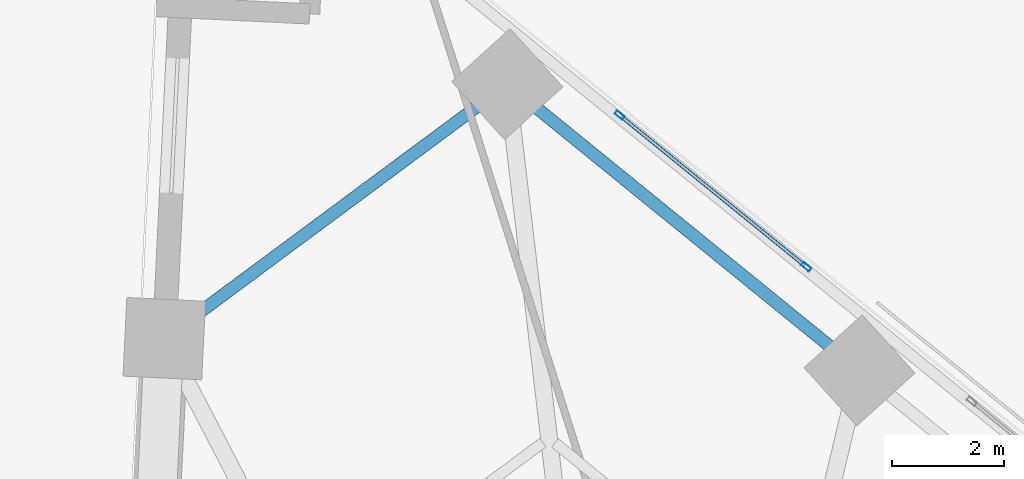
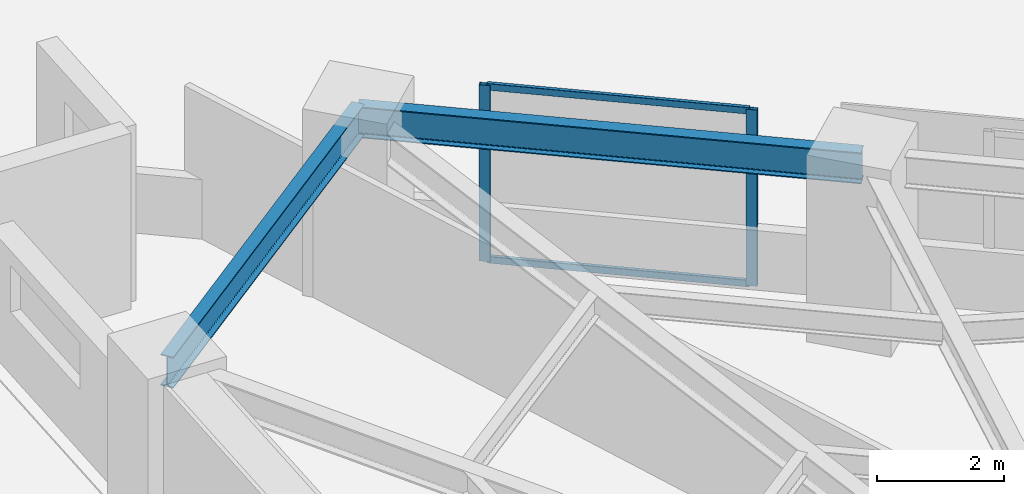
# One storey, part 9 of 19: 4 members, 2 beams, 1 element without a shape of its own.
"""IFC4 building model written with IfcOpenShell, lengths in metres."""

from ifc_helpers import new_model, si_unit, direction, frame, origin, origin_2d, place, context, subcontext, project, spatial, hollow_rectangle, i_section, extrude, material, material_profile, profile_set, type_object, element, aggregate, save


model = new_model("IFC4")

# Units and contexts
model_context = context("Model", 3, precision=1e-05, world=origin(), true_north=direction((0.0, 1.0)))
body_context = subcontext(model_context, "Body", "Model", "MODEL_VIEW")
ifc_project = project(units=[si_unit("LENGTHUNIT", "METRE"), si_unit("AREAUNIT", "SQUARE_METRE"), si_unit("VOLUMEUNIT", "CUBIC_METRE"), si_unit("PLANEANGLEUNIT", "RADIAN"), si_unit("MASSUNIT", "GRAM", prefix="KILO")], contexts=[model_context])

# Site, building, storey
site_placement = place(None, origin())
site = spatial("IfcSite", under=ifc_project, at=site_placement, CompositionType="ELEMENT")
building_placement = place(site_placement, origin())
building = spatial("IfcBuilding", under=site, at=building_placement, Name="Narakoshi Arena Tower", CompositionType="ELEMENT")
storey_placement = place(building_placement, frame((0.0, 0.0, 26.699951171875)))
storey = spatial("IfcBuildingStorey", under=building, at=storey_placement, Name="L06", CompositionType="ELEMENT", Elevation=26.699951171875)

# Beams
ifc_material_1 = material(Name="Structural steel S355J2", Category="steel")
ifc_material_profile_1 = material_profile(ifc_material_1, i_section(OverallWidth=0.219970703125, OverallDepth=0.60009765625, WebThickness=0.011962890625, FlangeThickness=0.01904296875, FilletRadius=0.02392578125, at=origin_2d()), Name="IPE600")
ifc_profile_set_1 = profile_set([ifc_material_profile_1], Name="Structural steel S355J2")
beam_type = type_object("IfcBeamType", Name="BM-EDGE-600", PredefinedType="BEAM", material=ifc_profile_set_1)
beam_1_placement = place(storey_placement, frame((75.794189453125, 72.392333984375, 3.10009765625), z_axis=(-0.775993703931, 0.63074065309, 0.0), x_axis=(-0.63074065309, -0.775993703931, 0.0)))
element("IfcBeam", 1, at=beam_1_placement, inside=storey, type_object=beam_type, Name="L06 Perimeter Edge Girder 11", PredefinedType="BEAM", context=body_context, shape_type="SweptSolid", body=[
    extrude(i_section(OverallWidth=0.219970703125, OverallDepth=0.60009765625, WebThickness=0.011962890625, FlangeThickness=0.01904296875, FilletRadius=0.02392578125, at=origin_2d()), origin(), (0.0, 0.0, 1.0), 8.0712890625),
])
beam_2_placement = place(storey_placement, frame((69.531005859375, 77.483154296875, 3.10009765625), z_axis=(-0.80317737809, -0.595739959482, 0.0), x_axis=(0.595739959482, -0.80317737809, 0.0)))
element("IfcBeam", 2, at=beam_2_placement, inside=storey, type_object=beam_type, Name="L06 Perimeter Edge Girder 12", PredefinedType="BEAM", context=body_context, shape_type="SweptSolid", body=[
    extrude(i_section(OverallWidth=0.219970703125, OverallDepth=0.60009765625, WebThickness=0.011962890625, FlangeThickness=0.01904296875, FilletRadius=0.02392578125, at=origin_2d()), origin(), (0.0, 0.0, 1.0), 7.598388671875),
])

# Curtain wall, members
ifc_material_2 = material(Name="Anodised bronze aluminium 6063-T6", Category="aluminium")
curtain_wall_type = type_object("IfcCurtainWallType", Name="CW-HYP-LOW", PredefinedType="NOTDEFINED", material=ifc_material_2)
curtain_wall_placement = place(storey_placement, origin())
curtain_wall = element("IfcCurtainWall", 3, at=curtain_wall_placement, inside=storey, type_object=curtain_wall_type, Name="L06 Folded Hypotenuse Curtain Wall 2-4", PredefinedType="NOTDEFINED")
ifc_material_profile_2 = material_profile(ifc_material_2, hollow_rectangle(XDim=0.074951171875, YDim=0.179931640625, WallThickness=0.00390625, OuterFilletRadius=0.0048828125, at=origin_2d()), Name="MUL180x75x4")
ifc_profile_set_2 = profile_set([ifc_material_profile_2], Name="Anodised bronze aluminium 6063-T6")
member_type_1 = type_object("IfcMemberType", Name="MEM-MUL-180", PredefinedType="MULLION", material=ifc_profile_set_2)
member_1_placement = place(storey_placement, frame((74.843994140625, 74.234130859375, 0.0), z_axis=(0.0, 0.0, 1.0), x_axis=(-0.630733728817, -0.775999332044, 0.0)))
member_1 = element("IfcMember", 4, at=member_1_placement, type_object=member_type_1, Name="CW-01 mullion 1", PredefinedType="MULLION", context=body_context, shape_type="SweptSolid", body=[
    extrude(hollow_rectangle(XDim=0.074951171875, YDim=0.179931640625, WallThickness=0.00390625, OuterFilletRadius=0.0048828125, at=origin_2d()), origin(), (0.0, 0.0, 1.0), 3.400146484375),
])
member_2_placement = place(storey_placement, frame((71.52783203125, 76.9296875, 0.0), z_axis=(0.0, 0.0, 1.0), x_axis=(-0.630733728817, -0.775999332044, 0.0)))
member_2 = element("IfcMember", 5, at=member_2_placement, type_object=member_type_1, Name="CW-01 mullion 2", PredefinedType="MULLION", context=body_context, shape_type="SweptSolid", body=[
    extrude(hollow_rectangle(XDim=0.074951171875, YDim=0.179931640625, WallThickness=0.00390625, OuterFilletRadius=0.0048828125, at=origin_2d()), origin(), (0.0, 0.0, 1.0), 3.400146484375),
])
ifc_material_profile_3 = material_profile(ifc_material_2, hollow_rectangle(XDim=0.06494140625, YDim=0.1298828125, WallThickness=0.00390625, OuterFilletRadius=0.0048828125, at=origin_2d()), Name="TRN130x65x4")
ifc_profile_set_3 = profile_set([ifc_material_profile_3], Name="Anodised bronze aluminium 6063-T6")
member_type_2 = type_object("IfcMemberType", Name="MEM-TRN-130", PredefinedType="USERDEFINED", material=ifc_profile_set_3)
member_3_placement = place(storey_placement, frame((74.81494140625, 74.2578125, 0.032470703125), z_axis=(-0.775994815564, 0.630739285457, 0.0), x_axis=(-0.630739285457, -0.775994815564, 0.0)))
member_3 = element("IfcMember", 6, at=member_3_placement, type_object=member_type_2, Name="CW-01 transom 1.1", ObjectType="TRANSOM", PredefinedType="USERDEFINED", context=body_context, shape_type="SweptSolid", body=[
    extrude(hollow_rectangle(XDim=0.06494140625, YDim=0.1298828125, WallThickness=0.00390625, OuterFilletRadius=0.0048828125, at=origin_2d()), origin(), (0.0, 0.0, 1.0), 4.198486328125),
])
member_4_placement = place(storey_placement, frame((74.81494140625, 74.2578125, 3.367431640625), z_axis=(-0.775994815564, 0.630739285457, 0.0), x_axis=(-0.630739285457, -0.775994815564, 0.0)))
member_4 = element("IfcMember", 7, at=member_4_placement, type_object=member_type_2, Name="CW-01 transom 1.2", ObjectType="TRANSOM", PredefinedType="USERDEFINED", context=body_context, shape_type="SweptSolid", body=[
    extrude(hollow_rectangle(XDim=0.06494140625, YDim=0.1298828125, WallThickness=0.00390625, OuterFilletRadius=0.0048828125, at=origin_2d()), origin(), (0.0, 0.0, 1.0), 4.198486328125),
])
aggregate(curtain_wall, [member_1, member_2, member_3, member_4])

save(model, "model.ifc")
